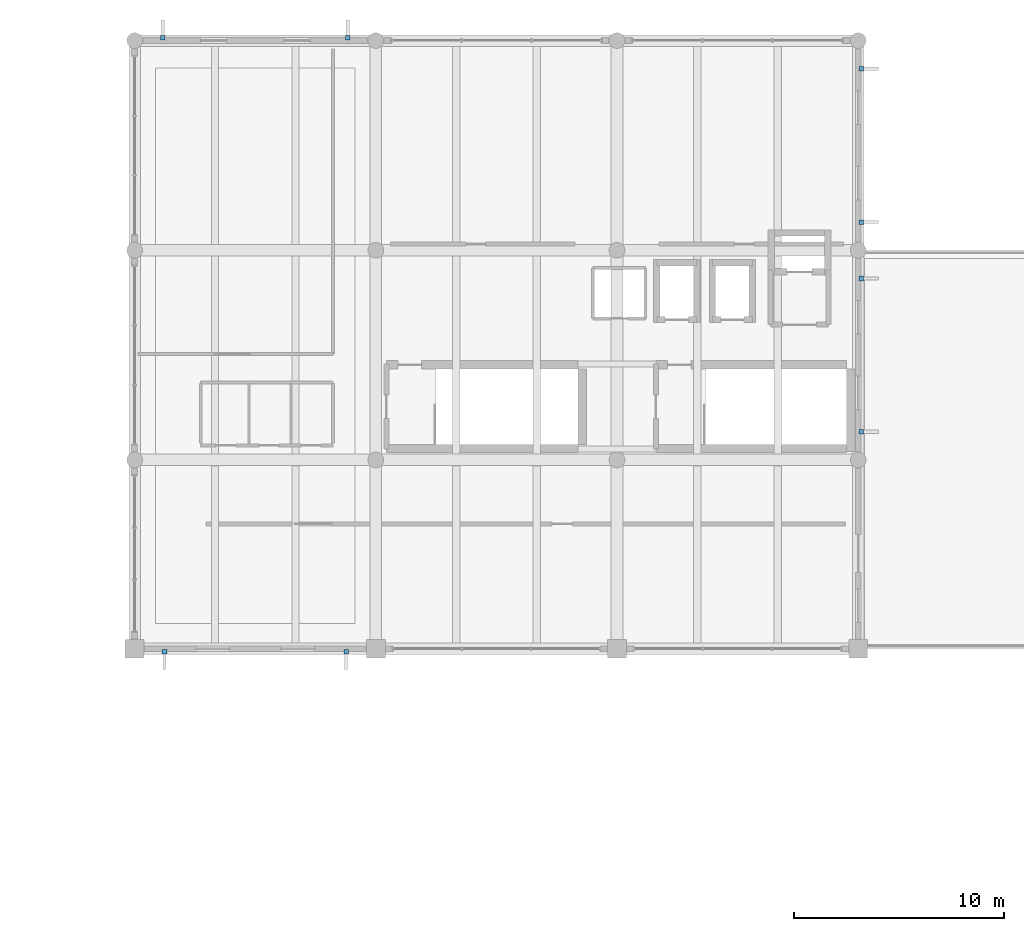
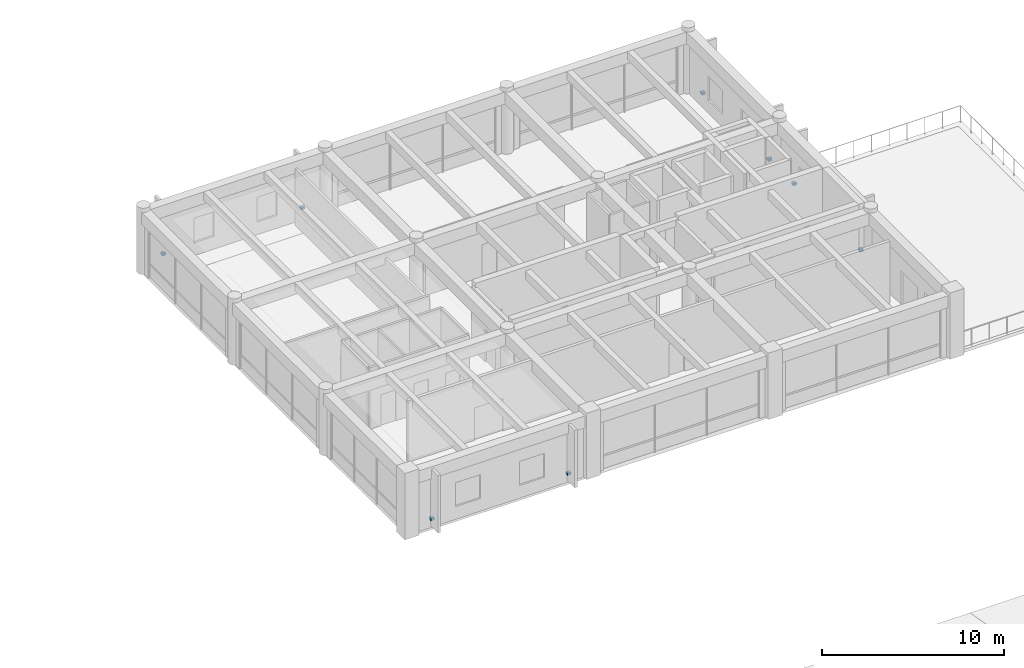
# One storey, part 26 of 27: 8 discrete accessories.
"""IFC4 building model written with IfcOpenShell, lengths in metres."""

from ifc_helpers import new_model, si_unit, direction, frame, origin, origin_2d, place, context, subcontext, project, spatial, rectangle, extrude, material, type_object, element, save


model = new_model("IFC4")

# Units and contexts
model_context = context("Model", 3, precision=1e-05, world=origin(), true_north=direction((0.0, 1.0)))
body_context = subcontext(model_context, "Body", "Model", "MODEL_VIEW")
ifc_project = project(units=[si_unit("LENGTHUNIT", "METRE"), si_unit("AREAUNIT", "SQUARE_METRE"), si_unit("VOLUMEUNIT", "CUBIC_METRE"), si_unit("PLANEANGLEUNIT", "RADIAN"), si_unit("MASSUNIT", "GRAM", prefix="KILO")], contexts=[model_context])

# Site, building, storey
site_placement = place(None, origin())
site = spatial("IfcSite", under=ifc_project, at=site_placement, CompositionType="ELEMENT")
building_placement = place(site_placement, origin())
building = spatial("IfcBuilding", under=site, at=building_placement, Name="Ologun Quay Terminus", CompositionType="ELEMENT")
storey_placement = place(building_placement, frame((0.0, 0.0, 22.4599609375)))
storey = spatial("IfcBuildingStorey", under=building, at=storey_placement, Name="L05", CompositionType="ELEMENT", Elevation=22.4599609375)

# Discrete accessories
ifc_material = material(Name="Steel S355", Category="steel")
discrete_accessory_type = type_object("IfcDiscreteAccessoryType", Name="Solar Fin Stainless Support Bracket", PredefinedType="BRACKET", material=ifc_material)
for number, where, z_axis, x_axis, name in (
    (1, (116.419921875, 85.659912109375, 0.52001953125), (0.0, 0.0, 1.0), (1.0, 0.0, 0.0), "BRK-01 Solar Fin Bracket WEW-EW-L05-1-1"),
    (2, (125.080078125, 85.659912109375, 0.52001953125), (0.0, 0.0, 1.0), (1.0, 0.0, 0.0), "BRK-01 Solar Fin Bracket WEW-EW-L05-1-2"),
    (3, (149.639892578125, 96.14501953125, 0.52001953125), (0.0, 0.0, 1.0), (1.0, 0.0, 0.0), "BRK-01 Solar Fin Bracket WEW-EW-L05-5-1"),
    (4, (149.639892578125, 103.455078125, 0.52001953125), (0.0, 0.0, 1.0), (1.0, 0.0, 0.0), "BRK-01 Solar Fin Bracket WEW-EW-L05-5-2"),
    (5, (149.639892578125, 106.14501953125, 0.52001953125), (0.0, 0.0, 1.0), (1.0, 0.0, 0.0), "BRK-01 Solar Fin Bracket WEW-EW-L05-6-1"),
    (6, (149.639892578125, 113.455078125, 0.52001953125), (0.0, 0.0, 1.0), (1.0, 0.0, 0.0), "BRK-01 Solar Fin Bracket WEW-EW-L05-6-2"),
    (7, (116.344970703125, 114.93994140625, 0.52001953125), (0.0, 0.0, 1.0), (1.0, 0.0, 0.0), "BRK-01 Solar Fin Bracket WEW-EW-L05-7-1"),
    (8, (125.155029296875, 114.93994140625, 0.52001953125), (0.0, 0.0, 1.0), (1.0, 0.0, 0.0), "BRK-01 Solar Fin Bracket WEW-EW-L05-7-2"),
):
    element("IfcDiscreteAccessory", number, at=place(storey_placement, frame(where, z_axis=z_axis, x_axis=x_axis)), inside=storey, type_object=discrete_accessory_type, Name=name, PredefinedType="BRACKET", context=body_context, shape_type="SweptSolid", body=[
        extrude(rectangle(XDim=0.219970703125, YDim=0.219970703125, at=origin_2d()), origin(), (0.0, 0.0, 1.0), 0.159912109375),
    ])

save(model, "model.ifc")
